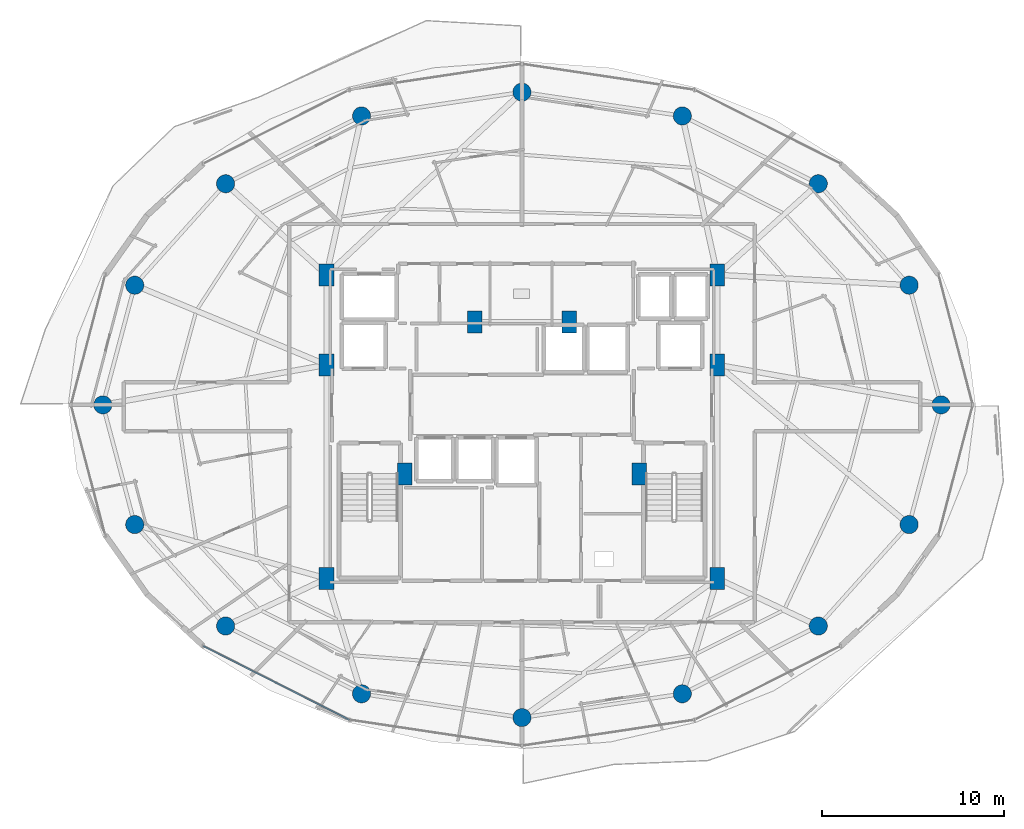
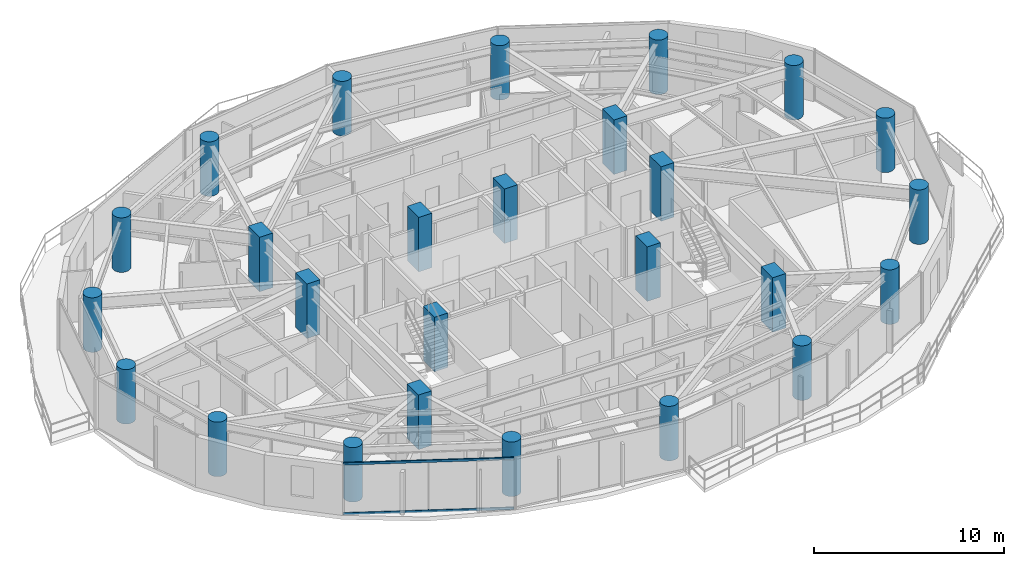
# One storey, part 1 of 31: 26 columns, 2 members, 1 element without a shape of its own.
"""IFC4 building model written with IfcOpenShell, lengths in metres."""

from ifc_helpers import new_model, si_unit, direction, frame, origin, origin_2d, place, context, subcontext, project, spatial, rectangle, hollow_rectangle, circle, extrude, material, material_profile, profile_set, type_object, element, aggregate, save


model = new_model("IFC4")

# Units and contexts
model_context = context("Model", 3, precision=1e-05, world=origin(), true_north=direction((0.0, 1.0)))
body_context = subcontext(model_context, "Body", "Model", "MODEL_VIEW")
ifc_project = project(units=[si_unit("LENGTHUNIT", "METRE"), si_unit("AREAUNIT", "SQUARE_METRE"), si_unit("VOLUMEUNIT", "CUBIC_METRE"), si_unit("PLANEANGLEUNIT", "RADIAN"), si_unit("MASSUNIT", "GRAM", prefix="KILO")], contexts=[model_context])

# Site, building, storey
site_placement = place(None, origin())
site = spatial("IfcSite", under=ifc_project, at=site_placement, CompositionType="ELEMENT")
building_placement = place(site_placement, origin())
building = spatial("IfcBuilding", under=site, at=building_placement, Name="Vorneva Point Tower", CompositionType="ELEMENT")
storey_placement = place(building_placement, frame((0.0, 0.0, 136.10009765625)))
storey = spatial("IfcBuildingStorey", under=building, at=storey_placement, Name="L36", CompositionType="ELEMENT", Elevation=136.10009765625)

# Columns
ifc_material_1 = material(Name="Concrete B60 (C50/60)", Category="concrete")
ifc_material_profile_1 = material_profile(ifc_material_1, circle(Radius=0.5, at=origin_2d()), Name="RC-CIRC 1000")
ifc_profile_set_1 = profile_set([ifc_material_profile_1], Name="Concrete B60 (C50/60)")
column_type_1 = type_object("IfcColumnType", Name="COL-RC1000C", PredefinedType="COLUMN", material=ifc_profile_set_1)
for number, where, z_axis, x_axis, name in (
    (1, (61.050048828125, 26.0, 0.0), (0.0, 0.0, 1.0), (1.0, 0.0, 0.0), "L36 Perimeter Column P01"),
    (2, (59.29541015625, 32.582275390625, 0.0), (0.0, 0.0, 1.0), (0.923879532511, 0.382683432365, 0.0), "L36 Perimeter Column P02"),
    (3, (54.298828125, 38.162109375, 0.0), (0.0, 0.0, 1.0), (0.707106781187, 0.707106781187, 0.0), "L36 Perimeter Column P03"),
    (4, (46.82080078125, 41.890625, 0.0), (0.0, 0.0, 1.0), (0.382683432365, 0.923879532511, 0.0), "L36 Perimeter Column P04"),
    (5, (38.0, 43.199951171875, 0.0), (0.0, 0.0, 1.0), (0.0, 1.0, 0.0), "L36 Perimeter Column P05"),
    (6, (29.17919921875, 41.890625, 0.0), (0.0, 0.0, 1.0), (-0.382683432365, 0.923879532511, 0.0), "L36 Perimeter Column P06"),
    (7, (21.701171875, 38.162109375, 0.0), (0.0, 0.0, 1.0), (-0.707106781187, 0.707106781187, 0.0), "L36 Perimeter Column P07"),
    (8, (16.70458984375, 32.582275390625, 0.0), (0.0, 0.0, 1.0), (-0.923879532511, 0.382683432365, 0.0), "L36 Perimeter Column P08"),
    (9, (14.949951171875, 26.0, 0.0), (0.0, 0.0, 1.0), (-1.0, 0.0, 0.0), "L36 Perimeter Column P09"),
    (10, (16.70458984375, 19.417724609375, 0.0), (0.0, 0.0, 1.0), (-0.923879532511, -0.382683432365, 0.0), "L36 Perimeter Column P10"),
    (11, (21.701171875, 13.837890625, 0.0), (0.0, 0.0, 1.0), (-0.707106781187, -0.707106781187, 0.0), "L36 Perimeter Column P11"),
    (12, (29.17919921875, 10.109375, 0.0), (0.0, 0.0, 1.0), (-0.382683432365, -0.923879532511, 0.0), "L36 Perimeter Column P12"),
    (13, (38.0, 8.800048828125, 0.0), (0.0, 0.0, 1.0), (0.0, -1.0, 0.0), "L36 Perimeter Column P13"),
    (14, (46.82080078125, 10.109375, 0.0), (0.0, 0.0, 1.0), (0.382683432365, -0.923879532511, 0.0), "L36 Perimeter Column P14"),
    (15, (54.298828125, 13.837890625, 0.0), (0.0, 0.0, 1.0), (0.707106781187, -0.707106781187, 0.0), "L36 Perimeter Column P15"),
    (16, (59.29541015625, 19.417724609375, 0.0), (0.0, 0.0, 1.0), (0.923879532511, -0.382683432365, 0.0), "L36 Perimeter Column P16"),
):
    element("IfcColumn", number, at=place(storey_placement, frame(where, z_axis=z_axis, x_axis=x_axis)), inside=storey, type_object=column_type_1, Name=name, PredefinedType="COLUMN", context=body_context, shape_type="SweptSolid", body=[
        extrude(circle(Radius=0.5, at=origin_2d()), origin(), (0.0, 0.0, 1.0), 3.5),
    ])
ifc_material_profile_2 = material_profile(ifc_material_1, rectangle(XDim=0.800048828125, YDim=1.199951171875, at=origin_2d()), Name="RC-PIL 1200x800")
ifc_profile_set_2 = profile_set([ifc_material_profile_2], Name="Concrete B60 (C50/60)")
column_type_2 = type_object("IfcColumnType", Name="PIL-RC1200x800", PredefinedType="PILASTER", material=ifc_profile_set_2)
for number, where, z_axis, x_axis, name in (
    (17, (27.25, 16.449951171875, 0.0), (0.0, 0.0, 1.0), (1.0, 0.0, 0.0), "L36 Core Pilaster CP1"),
    (18, (27.25, 28.199951171875, 0.0), (0.0, 0.0, 1.0), (1.0, 0.0, 0.0), "L36 Core Pilaster CP2"),
    (19, (27.25, 33.14990234375, 0.0), (0.0, 0.0, 1.0), (1.0, 0.0, 0.0), "L36 Core Pilaster CP3"),
    (20, (31.550048828125, 22.199951171875, 0.0), (0.0, 0.0, 1.0), (1.0, 0.0, 0.0), "L36 Core Pilaster CP4"),
    (21, (48.75, 33.14990234375, 0.0), (0.0, 0.0, 1.0), (1.0, 0.0, 0.0), "L36 Core Pilaster CP5"),
    (22, (48.75, 28.199951171875, 0.0), (0.0, 0.0, 1.0), (1.0, 0.0, 0.0), "L36 Core Pilaster CP6"),
    (23, (48.75, 16.449951171875, 0.0), (0.0, 0.0, 1.0), (1.0, 0.0, 0.0), "L36 Core Pilaster CP7"),
    (24, (44.449951171875, 22.199951171875, 0.0), (0.0, 0.0, 1.0), (1.0, 0.0, 0.0), "L36 Core Pilaster CP8"),
    (25, (35.39990234375, 30.550048828125, 0.0), (0.0, 0.0, 1.0), (1.0, 0.0, 0.0), "L36 Core Pilaster CP9"),
    (26, (40.60009765625, 30.550048828125, 0.0), (0.0, 0.0, 1.0), (1.0, 0.0, 0.0), "L36 Core Pilaster CP10"),
):
    element("IfcColumn", number, at=place(storey_placement, frame(where, z_axis=z_axis, x_axis=x_axis)), inside=storey, type_object=column_type_2, Name=name, PredefinedType="PILASTER", context=body_context, shape_type="SweptSolid", body=[
        extrude(rectangle(XDim=0.800048828125, YDim=1.199951171875, at=origin_2d()), origin(), (0.0, 0.0, 1.0), 3.5),
    ])

# Curtain wall, members
ifc_material_2 = material(Name="Pale anodised aluminium", Category="aluminium")
curtain_wall_type = type_object("IfcCurtainWallType", Name="CW-RES-SYS", PredefinedType="NOTDEFINED", material=ifc_material_2)
curtain_wall_placement = place(storey_placement, origin())
curtain_wall = element("IfcCurtainWall", 27, at=curtain_wall_placement, inside=storey, type_object=curtain_wall_type, Name="L36 Unitised Curtain Wall CW-L36-R04", PredefinedType="NOTDEFINED")
ifc_material_profile_3 = material_profile(ifc_material_2, hollow_rectangle(XDim=0.074951171875, YDim=0.14990234375, WallThickness=0.00390625, at=origin_2d()), Name="AL-TRN 150x75x4")
ifc_profile_set_3 = profile_set([ifc_material_profile_3], Name="Pale anodised aluminium")
member_type = type_object("IfcMemberType", Name="CW-TRN-150", PredefinedType="USERDEFINED", material=ifc_profile_set_3)
member_1_placement = place(storey_placement, frame((20.4638671875, 12.74169921875, 0.02001953125), z_axis=(0.892572392955, -0.450904117673, 0.0), x_axis=(0.450904117673, 0.892572392955, 0.0)))
member_1 = element("IfcMember", 28, at=member_1_placement, type_object=member_type, Name="CW-L36-R04 Transom 01.1", ObjectType="TRANSOM", PredefinedType="USERDEFINED", context=body_context, shape_type="SweptSolid", body=[
    extrude(hollow_rectangle(XDim=0.074951171875, YDim=0.14990234375, WallThickness=0.00390625, at=origin_2d()), origin(), (0.0, 0.0, 1.0), 9.013916015625),
])
member_2_placement = place(storey_placement, frame((20.4638671875, 12.74169921875, 3.219970703125), z_axis=(0.892572392955, -0.450904117673, 0.0), x_axis=(0.450904117673, 0.892572392955, 0.0)))
member_2 = element("IfcMember", 29, at=member_2_placement, type_object=member_type, Name="CW-L36-R04 Transom 01.2", ObjectType="TRANSOM", PredefinedType="USERDEFINED", context=body_context, shape_type="SweptSolid", body=[
    extrude(hollow_rectangle(XDim=0.074951171875, YDim=0.14990234375, WallThickness=0.00390625, at=origin_2d()), origin(), (0.0, 0.0, 1.0), 9.013916015625),
])
aggregate(curtain_wall, [member_1, member_2])

save(model, "model.ifc")
